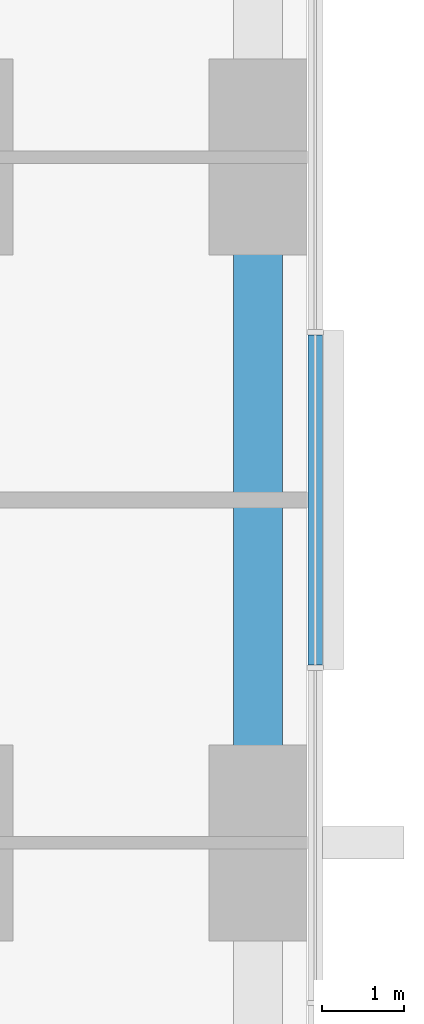
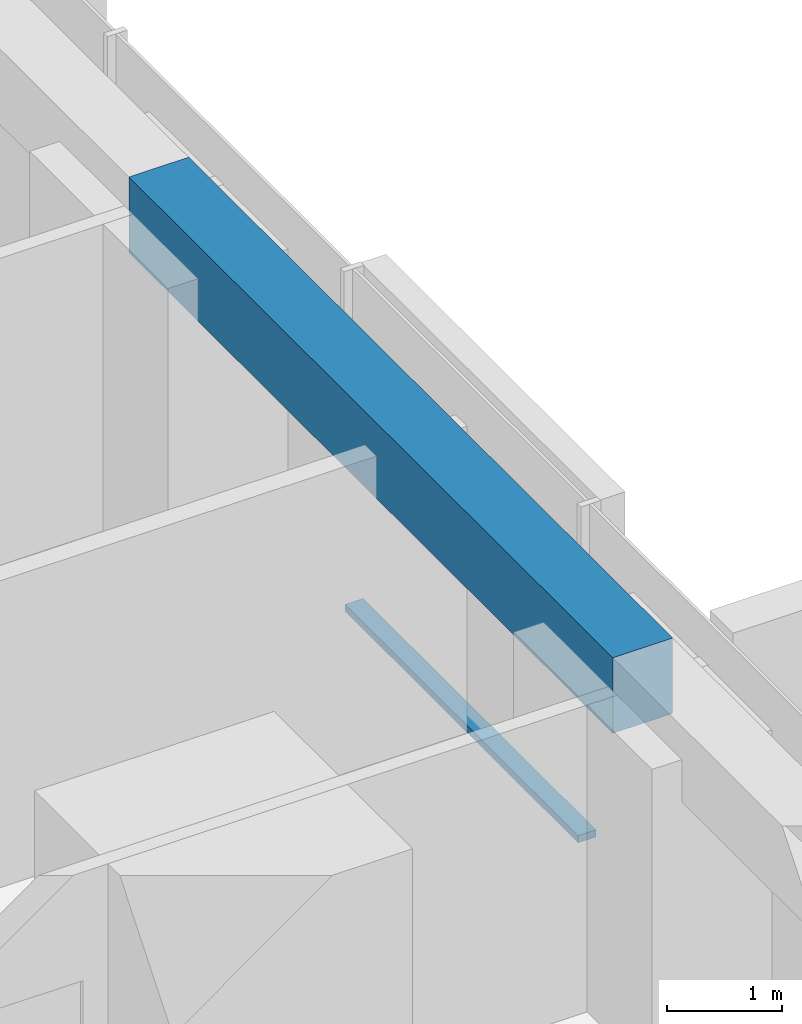
# One storey, part 5 of 17: 1 beam, 1 member, 1 element without a shape of its own.
"""IFC4 building model written with IfcOpenShell, lengths in metres."""

from ifc_helpers import new_model, si_unit, direction, frame, origin, origin_2d, place, context, subcontext, project, spatial, rectangle, extrude, material, material_profile, profile_set, type_object, element, aggregate, save


model = new_model("IFC4")

# Units and contexts
model_context = context("Model", 3, precision=1e-05, world=origin(), true_north=direction((0.0, 1.0)))
body_context = subcontext(model_context, "Body", "Model", "MODEL_VIEW")
ifc_project = project(units=[si_unit("LENGTHUNIT", "METRE"), si_unit("AREAUNIT", "SQUARE_METRE"), si_unit("VOLUMEUNIT", "CUBIC_METRE"), si_unit("PLANEANGLEUNIT", "RADIAN"), si_unit("MASSUNIT", "GRAM", prefix="KILO")], contexts=[model_context])

# Site, building, storey
site_placement = place(None, origin())
site = spatial("IfcSite", under=ifc_project, at=site_placement, CompositionType="ELEMENT")
building_placement = place(site_placement, origin())
building = spatial("IfcBuilding", under=site, at=building_placement, Name="Dunama Terrace Hotel", CompositionType="ELEMENT")
storey_placement = place(building_placement, frame((0.0, 0.0, 81.0)))
storey = spatial("IfcBuildingStorey", under=building, at=storey_placement, Name="L20", CompositionType="ELEMENT", Elevation=81.0)

# Curtain wall, member
ifc_material_1 = material(Name="Aluminium curtain wall system", Category="aluminium")
curtain_wall_type = type_object("IfcCurtainWallType", Name="Unitised fritted glass wall CW-A", PredefinedType="NOTDEFINED", material=ifc_material_1)
curtain_wall_placement = place(storey_placement, origin())
curtain_wall = element("IfcCurtainWall", 1, at=curtain_wall_placement, inside=storey, type_object=curtain_wall_type, Name="Unitised fritted glass wall CW-A L20", PredefinedType="NOTDEFINED")
ifc_material_2 = material(Name="Aluminium transom", Category="aluminium")
ifc_material_profile_1 = material_profile(ifc_material_2, rectangle(XDim=0.179931640625, YDim=0.074951171875, at=origin_2d()), Name="CWA TRANSOM 180X75")
ifc_profile_set_1 = profile_set([ifc_material_profile_1], Name="Aluminium transom")
member_type = type_object("IfcMemberType", Name="CWA transom 180x75", PredefinedType="USERDEFINED", material=ifc_profile_set_1)
member_placement = place(storey_placement, frame((58.89990234375, 27.37890625, 0.03759765625), z_axis=(0.0, 1.0, 0.0), x_axis=(-1.0, 0.0, 0.0)))
member = element("IfcMember", 2, at=member_placement, type_object=member_type, Name="CWA transom", ObjectType="TRANSOM", PredefinedType="USERDEFINED", context=body_context, shape_type="SweptSolid", body=[
    extrude(rectangle(XDim=0.179931640625, YDim=0.074951171875, at=origin_2d()), origin(), (0.0, 0.0, 1.0), 4.0419921875),
])
aggregate(curtain_wall, [member])

# Beam
ifc_material_3 = material(Name="Concrete C40/50", Category="concrete")
ifc_material_profile_2 = material_profile(ifc_material_3, rectangle(XDim=0.60009765625, YDim=0.800048828125, at=origin_2d()), Name="RC 600x800")
ifc_profile_set_2 = profile_set([ifc_material_profile_2], Name="Concrete C40/50")
beam_type = type_object("IfcBeamType", Name="Edge beam RC 600x800", PredefinedType="SPANDREL", material=ifc_profile_set_2)
beam_placement = place(storey_placement, frame((58.199951171875, 25.199951171875, 3.199951171875), z_axis=(0.0, 1.0, 0.0), x_axis=(-1.0, 0.0, 0.0)))
element("IfcBeam", 3, at=beam_placement, inside=storey, type_object=beam_type, Name="Edge beam under L21", PredefinedType="SPANDREL", context=body_context, shape_type="SweptSolid", body=[
    extrude(rectangle(XDim=0.60009765625, YDim=0.800048828125, at=origin_2d()), origin(), (0.0, 0.0, 1.0), 8.400146484375),
])

save(model, "model.ifc")
